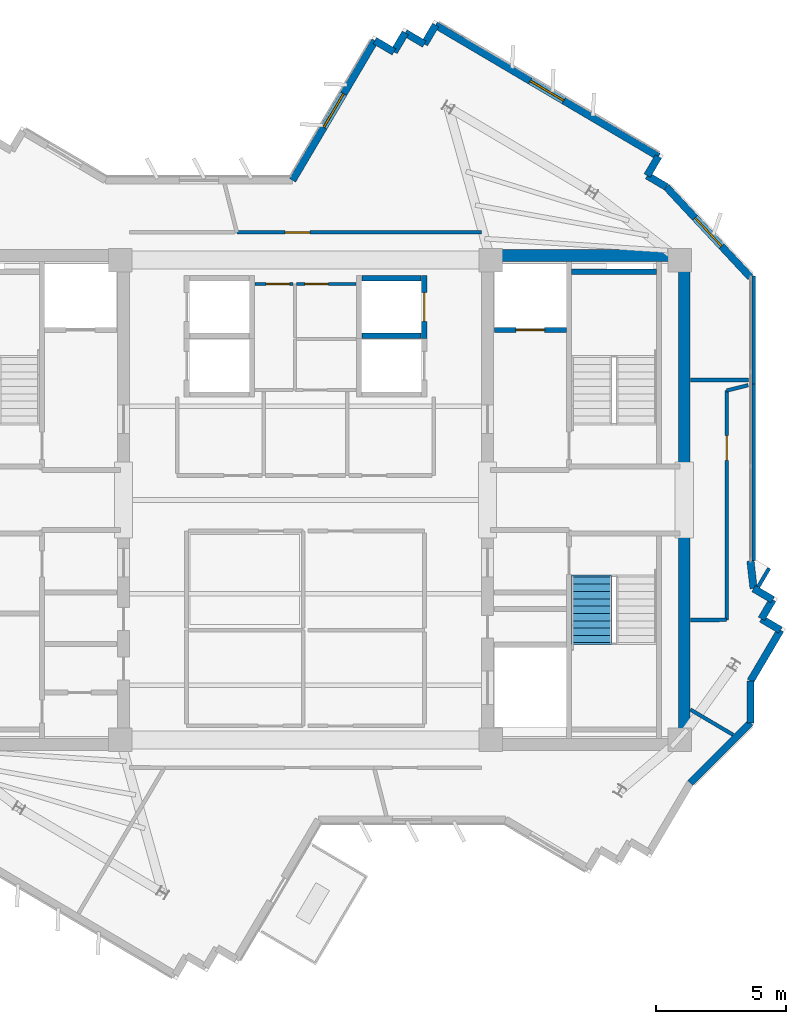
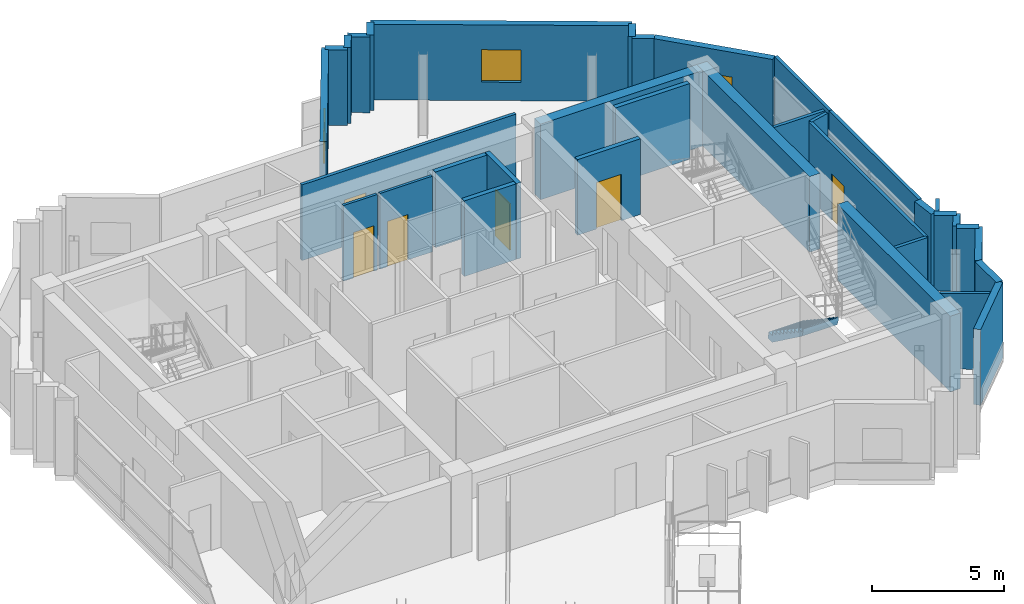
# One storey, part 7 of 10: 35 walls, 6 doors, 3 windows, 1 stair flight, 9 openings, 1 element without a shape of its own.
"""IFC4 building model written with IfcOpenShell, lengths in metres."""

from ifc_helpers import new_model, si_unit, direction, frame, frame_2d, origin, place, context, subcontext, project, spatial, polyline, rectangle, outline, extrude, source, transform, mapped, material, layer, layer_set, type_object, element, fill, aggregate, save


model = new_model("IFC4")

# Units and contexts
model_context = context("Model", 3, precision=1e-05, world=origin(), true_north=direction((0.0, 1.0)))
body_context = subcontext(model_context, "Body", "Model", "MODEL_VIEW")
ifc_project = project(units=[si_unit("LENGTHUNIT", "METRE"), si_unit("AREAUNIT", "SQUARE_METRE"), si_unit("VOLUMEUNIT", "CUBIC_METRE"), si_unit("PLANEANGLEUNIT", "RADIAN"), si_unit("MASSUNIT", "GRAM", prefix="KILO")], contexts=[model_context])

# Site, building, storey
site_placement = place(None, origin())
site = spatial("IfcSite", under=ifc_project, at=site_placement, CompositionType="ELEMENT")
building_placement = place(site_placement, origin())
building = spatial("IfcBuilding", under=site, at=building_placement, Name="Zahravan Cultural Tower", CompositionType="ELEMENT")
storey_placement = place(building_placement, frame((0.0, 0.0, 346.050048828125)))
storey = spatial("IfcBuildingStorey", under=building, at=storey_placement, Name="L84", CompositionType="ELEMENT", Elevation=346.050048828125)

# Wall, opening, window
ifc_material_1 = material(Name="Precast concrete C40/50", Category="concrete")
ifc_layer_1 = layer(ifc_material_1, 0.280029296875)
ifc_layer_set_1 = layer_set([ifc_layer_1], Name="Precast concrete C40/50")
wall_type_1 = type_object("IfcWallType", Name="EW-TC-280", PredefinedType="SOLIDWALL", material=ifc_layer_set_1)
wall_1_placement = place(storey_placement, frame((35.502685546875, 39.260009765625, 0.0), z_axis=(0.0, 0.0, 1.0), x_axis=(0.508266003384, 0.861200133421, 0.0)))
wall_1 = element("IfcWall", 1, at=wall_1_placement, inside=storey, type_object=wall_type_1, Name="L84 Exterior Masonry Frame Wall 01", PredefinedType="SOLIDWALL", context=body_context, shape_type="SweptSolid", body=[
    extrude(rectangle(XDim=6.214599609375, YDim=0.280029296875, at=frame_2d((3.107421875, 0.0))), origin(), (0.0, 0.0, 1.0), 3.5),
])
opening_1_placement = place(wall_1_placement, frame((2.35693359375, 0.0, 0.85009765625)))
opening_1 = element("IfcOpeningElement", 2, at=opening_1_placement, cuts=wall_1, Name="Opening WN-03", PredefinedType="OPENING", context=body_context, shape_type="SweptSolid", body=[
    extrude(rectangle(XDim=1.5, YDim=1.5, at=frame_2d((0.75, 0.75))), frame((0.0, 0.14990234375, 0.0), z_axis=(0.0, -1.0, 0.0), x_axis=(1.0, 0.0, 0.0)), (0.0, 0.0, 1.0), 0.300048828125),
])
ifc_material_2 = material(Name="Low-E solar-control double glazing", Category="glass")
window_type = type_object("IfcWindowType", Name="WN-REC-1500X1500", PartitioningType="SINGLE_PANEL", PredefinedType="WINDOW", material=ifc_material_2)
shared_shape_1 = source(origin(), body_context, "Body", "SweptSolid", [
    extrude(rectangle(XDim=1.5, YDim=1.5, at=frame_2d((0.75, 0.75))), frame((0.0, 0.030029296875, 0.0), z_axis=(0.0, -1.0, 0.0), x_axis=(1.0, 0.0, 0.0)), (0.0, 0.0, 1.0), 0.06005859375),
])
window_1_placement = place(opening_1_placement, origin())
window_1 = element("IfcWindow", 3, at=window_1_placement, inside=storey, type_object=window_type, Name="L84 Recessed Solar Window 01", OverallHeight=1.5, OverallWidth=1.5, PartitioningType="SINGLE_PANEL", PredefinedType="WINDOW", context=body_context, shape_type="MappedRepresentation", body=[
    mapped(shared_shape_1, transform((0.0, 0.0, 0.0), x_axis=(1.0, 0.0, 0.0), y_axis=(0.0, 1.0, 0.0), z_axis=(0.0, 0.0, 1.0), scale=1.0)),
])
fill(opening_1, window_1)

wall_2_placement = place(storey_placement, frame((40.989501953125, 45.2119140625, 0.0), z_axis=(0.0, 0.0, 1.0), x_axis=(0.861192451778, -0.508279018848, 0.0)))
wall_2 = element("IfcWall", 4, at=wall_2_placement, inside=storey, type_object=wall_type_1, Name="L84 Exterior Masonry Frame Wall 06", PredefinedType="SOLIDWALL", context=body_context, shape_type="SweptSolid", body=[
    extrude(rectangle(XDim=9.920166015625, YDim=0.280029296875, at=frame_2d((4.9599609375, 0.0))), origin(), (0.0, 0.0, 1.0), 3.5),
])
opening_2_placement = place(wall_2_placement, frame((4.2099609375, 0.0, 0.85009765625)))
opening_2 = element("IfcOpeningElement", 5, at=opening_2_placement, cuts=wall_2, Name="Opening WN-03", PredefinedType="OPENING", context=body_context, shape_type="SweptSolid", body=[
    extrude(rectangle(XDim=1.5, YDim=1.5, at=frame_2d((0.75, 0.75))), frame((0.0, 0.14990234375, 0.0), z_axis=(0.0, -1.0, 0.0), x_axis=(1.0, 0.0, 0.0)), (0.0, 0.0, 1.0), 0.300048828125),
])
window_2_placement = place(opening_2_placement, origin())
window_2 = element("IfcWindow", 6, at=window_2_placement, inside=storey, type_object=window_type, Name="L84 Recessed Solar Window 02", OverallHeight=1.5, OverallWidth=1.5, PartitioningType="SINGLE_PANEL", PredefinedType="WINDOW", context=body_context, shape_type="MappedRepresentation", body=[
    mapped(shared_shape_1, transform((0.0, 0.0, 0.0), x_axis=(1.0, 0.0, 0.0), y_axis=(0.0, 1.0, 0.0), z_axis=(0.0, 0.0, 1.0), scale=1.0)),
])
fill(opening_2, window_2)

wall_3_placement = place(storey_placement, frame((49.83251953125, 39.005615234375, 0.0), z_axis=(0.0, 0.0, 1.0), x_axis=(0.681733754317, -0.731600361006, 0.0)))
wall_3 = element("IfcWall", 7, at=wall_3_placement, inside=storey, type_object=wall_type_1, Name="L84 Exterior Masonry Frame Wall 09", PredefinedType="SOLIDWALL", context=body_context, shape_type="SweptSolid", body=[
    extrude(rectangle(XDim=4.734375, YDim=0.280029296875, at=frame_2d((2.3671875, 0.0))), origin(), (0.0, 0.0, 1.0), 3.5),
])
opening_3_placement = place(wall_3_placement, frame((1.616943359375, 0.0, 0.85009765625)))
opening_3 = element("IfcOpeningElement", 8, at=opening_3_placement, cuts=wall_3, Name="Opening WN-03", PredefinedType="OPENING", context=body_context, shape_type="SweptSolid", body=[
    extrude(rectangle(XDim=1.5, YDim=1.5, at=frame_2d((0.75, 0.75))), frame((0.0, 0.14990234375, 0.0), z_axis=(0.0, -1.0, 0.0), x_axis=(1.0, 0.0, 0.0)), (0.0, 0.0, 1.0), 0.300048828125),
])
window_3_placement = place(opening_3_placement, origin())
window_3 = element("IfcWindow", 9, at=window_3_placement, inside=storey, type_object=window_type, Name="L84 Recessed Solar Window 03", OverallHeight=1.5, OverallWidth=1.5, PartitioningType="SINGLE_PANEL", PredefinedType="WINDOW", context=body_context, shape_type="MappedRepresentation", body=[
    mapped(shared_shape_1, transform((0.0, 0.0, 0.0), x_axis=(1.0, 0.0, 0.0), y_axis=(0.0, 1.0, 0.0), z_axis=(0.0, 0.0, 1.0), scale=1.0)),
])
fill(opening_3, window_3)

# Wall, opening, door
ifc_material_3 = material(Name="Gypsum plasterboard partition")
ifc_layer_2 = layer(ifc_material_3, 0.139892578125)
ifc_layer_set_2 = layer_set([ifc_layer_2], Name="Gypsum plasterboard partition")
wall_type_2 = type_object("IfcWallType", Name="W-PART-140", PredefinedType="PARTITIONING", material=ifc_layer_set_2)
wall_4_placement = place(storey_placement, frame((52.1474609375, 22.40234375, 0.0), z_axis=(0.0, 0.0, 1.0), x_axis=(0.000277685205, 0.999999961445, 0.0)))
wall_4 = element("IfcWall", 10, at=wall_4_placement, inside=storey, type_object=wall_type_2, Name="L84 Interior Wall 071", PredefinedType="PARTITIONING", context=body_context, shape_type="SweptSolid", body=[
    extrude(rectangle(XDim=8.7919921875, YDim=0.139892578125, at=frame_2d((4.39599609375, 0.0))), origin(), (0.0, 0.0, 1.0), 3.5),
])
opening_4_placement = place(wall_4_placement, frame((6.11669921875, 0.0, 0.0)))
opening_4 = element("IfcOpeningElement", 11, at=opening_4_placement, cuts=wall_4, Name="Opening D-L84-28", PredefinedType="OPENING", context=body_context, shape_type="SweptSolid", body=[
    extrude(rectangle(XDim=0.949951171875, YDim=2.14990234375, at=frame_2d((0.47509765625, 1.074951171875))), frame((0.0, 0.079833984375, 0.0), z_axis=(0.0, -1.0, 0.0), x_axis=(1.0, 0.0, 0.0)), (0.0, 0.0, 1.0), 0.159912109375),
])
ifc_material_4 = material(Name="Anodised bronze-aluminium mullion", Category="aluminium")
door_type_1 = type_object("IfcDoorType", Name="DR-ROOM-950", OperationType="NOTDEFINED", PredefinedType="DOOR", material=ifc_material_4)
shared_shape_2 = source(origin(), body_context, "Body", "SweptSolid", [
    extrude(rectangle(XDim=0.949951171875, YDim=2.14990234375, at=frame_2d((0.47509765625, 1.074951171875))), frame((0.0, 0.02490234375, 0.0), z_axis=(0.0, -1.0, 0.0), x_axis=(1.0, 0.0, 0.0)), (0.0, 0.0, 1.0), 0.050048828125),
])
door_1_placement = place(opening_4_placement, origin())
door_1 = element("IfcDoor", 12, at=door_1_placement, inside=storey, type_object=door_type_1, Name="L84 Door D-L84-28", OperationType="SINGLE_SWING_RIGHT", OverallHeight=2.14990234375, OverallWidth=0.949951171875, PredefinedType="DOOR", context=body_context, shape_type="MappedRepresentation", body=[
    mapped(shared_shape_2, transform((0.0, 0.0, 0.0), x_axis=(1.0, 0.0, 0.0), y_axis=(0.0, 1.0, 0.0), z_axis=(0.0, 0.0, 1.0), scale=1.0)),
])
fill(opening_4, door_1)

wall_5_placement = place(storey_placement, frame((42.742431640625, 37.259765625, 0.0), z_axis=(0.0, 0.0, 1.0), x_axis=(-0.999999999661, 2.6043023e-05, 0.0)))
wall_5 = element("IfcWall", 13, at=wall_5_placement, inside=storey, type_object=wall_type_2, Name="L84 Interior Wall 089", PredefinedType="PARTITIONING", context=body_context, shape_type="SweptSolid", body=[
    extrude(rectangle(XDim=9.37451171875, YDim=0.139892578125, at=frame_2d((4.687255859375, 0.0))), origin(), (0.0, 0.0, 1.0), 3.5),
])
opening_5_placement = place(wall_5_placement, frame((6.571044921875, 0.0, 0.0)))
opening_5 = element("IfcOpeningElement", 14, at=opening_5_placement, cuts=wall_5, Name="Opening D-L84-23", PredefinedType="OPENING", context=body_context, shape_type="SweptSolid", body=[
    extrude(rectangle(XDim=0.949951171875, YDim=2.14990234375, at=frame_2d((0.47509765625, 1.074951171875))), frame((0.0, 0.079833984375, 0.0), z_axis=(0.0, -1.0, 0.0), x_axis=(1.0, 0.0, 0.0)), (0.0, 0.0, 1.0), 0.159912109375),
])
door_2_placement = place(opening_5_placement, origin())
door_2 = element("IfcDoor", 15, at=door_2_placement, inside=storey, type_object=door_type_1, Name="L84 Door D-L84-23", OperationType="SINGLE_SWING_LEFT", OverallHeight=2.14990234375, OverallWidth=0.949951171875, PredefinedType="DOOR", context=body_context, shape_type="MappedRepresentation", body=[
    mapped(shared_shape_2, transform((0.0, 0.0, 0.0), x_axis=(1.0, 0.0, 0.0), y_axis=(0.0, 1.0, 0.0), z_axis=(0.0, 0.0, 1.0), scale=1.0)),
])
fill(opening_5, door_2)

ifc_material_5 = material(Name="Concrete C45/55", Category="concrete")
ifc_layer_3 = layer(ifc_material_5, 0.199951171875)
ifc_layer_set_3 = layer_set([ifc_layer_3], Name="Concrete C45/55")
wall_type_3 = type_object("IfcWallType", Name="W-SHAFT-200", PredefinedType="SOLIDWALL", material=ifc_layer_set_3)
wall_6_placement = place(storey_placement, frame((43.25, 33.52001953125, 0.0), z_axis=(0.0, 0.0, 1.0), x_axis=(1.0, 0.0, 0.0)))
wall_6 = element("IfcWall", 16, at=wall_6_placement, inside=storey, type_object=wall_type_3, Name="L84 Interior Wall 023", PredefinedType="SOLIDWALL", context=body_context, shape_type="SweptSolid", body=[
    extrude(rectangle(XDim=2.75, YDim=0.199951171875, at=frame_2d((1.375, 0.0))), origin(), (0.0, 0.0, 1.0), 3.5),
])
opening_6_placement = place(wall_6_placement, frame((0.820068359375, 0.0, 0.0)))
opening_6 = element("IfcOpeningElement", 17, at=opening_6_placement, cuts=wall_6, Name="Opening LD-L84-02", PredefinedType="OPENING", context=body_context, shape_type="SweptSolid", body=[
    extrude(rectangle(XDim=1.10009765625, YDim=2.14990234375, at=frame_2d((0.550048828125, 1.074951171875))), frame((0.0, 0.10986328125, 0.0), z_axis=(0.0, -1.0, 0.0), x_axis=(1.0, 0.0, 0.0)), (0.0, 0.0, 1.0), 0.219970703125),
])
ifc_material_6 = material(Name="Steel ASTM A572 Grade 50", Category="steel")
door_type_2 = type_object("IfcDoorType", Name="DR-LIFT-1100", OperationType="DOUBLE_DOOR_SLIDING", PredefinedType="DOOR", material=ifc_material_6)
shared_shape_3 = source(origin(), body_context, "Body", "SweptSolid", [
    extrude(rectangle(XDim=1.10009765625, YDim=2.14990234375, at=frame_2d((0.550048828125, 1.074951171875))), frame((0.0, 0.02490234375, 0.0), z_axis=(0.0, -1.0, 0.0), x_axis=(1.0, 0.0, 0.0)), (0.0, 0.0, 1.0), 0.050048828125),
])
door_3_placement = place(opening_6_placement, origin())
door_3 = element("IfcDoor", 18, at=door_3_placement, inside=storey, type_object=door_type_2, Name="L84 Door LD-L84-02", OperationType="DOUBLE_DOOR_SLIDING", OverallHeight=2.14990234375, OverallWidth=1.10009765625, PredefinedType="DOOR", context=body_context, shape_type="MappedRepresentation", body=[
    mapped(shared_shape_3, transform((0.0, 0.0, 0.0), x_axis=(1.0, 0.0, 0.0), y_axis=(0.0, 1.0, 0.0), z_axis=(0.0, 0.0, 1.0), scale=1.0)),
])
fill(opening_6, door_3)

wall_7_placement = place(storey_placement, frame((40.550048828125, 33.199951171875, 0.0), z_axis=(0.0, 0.0, 1.0), x_axis=(0.0, 1.0, 0.0)))
wall_7 = element("IfcWall", 19, at=wall_7_placement, inside=storey, type_object=wall_type_3, Name="L84 Interior Wall 038", PredefinedType="SOLIDWALL", context=body_context, shape_type="SweptSolid", body=[
    extrude(rectangle(XDim=2.400146484375, YDim=0.199951171875, at=frame_2d((1.2001953125, 0.0))), origin(), (0.0, 0.0, 1.0), 3.5),
])
opening_7_placement = place(wall_7_placement, frame((0.64990234375, 0.0, 0.0)))
opening_7 = element("IfcOpeningElement", 20, at=opening_7_placement, cuts=wall_7, Name="Opening LD-L84-06", PredefinedType="OPENING", context=body_context, shape_type="SweptSolid", body=[
    extrude(rectangle(XDim=1.10009765625, YDim=2.14990234375, at=frame_2d((0.550048828125, 1.074951171875))), frame((0.0, 0.10986328125, 0.0), z_axis=(0.0, -1.0, 0.0), x_axis=(1.0, 0.0, 0.0)), (0.0, 0.0, 1.0), 0.219970703125),
])
door_4_placement = place(opening_7_placement, origin())
door_4 = element("IfcDoor", 21, at=door_4_placement, inside=storey, type_object=door_type_2, Name="L84 Door LD-L84-06", OperationType="DOUBLE_DOOR_SLIDING", OverallHeight=2.14990234375, OverallWidth=1.10009765625, PredefinedType="DOOR", context=body_context, shape_type="MappedRepresentation", body=[
    mapped(shared_shape_3, transform((0.0, 0.0, 0.0), x_axis=(1.0, 0.0, 0.0), y_axis=(0.0, 1.0, 0.0), z_axis=(0.0, 0.0, 1.0), scale=1.0)),
])
fill(opening_7, door_4)

ifc_layer_4 = layer(ifc_material_3, 0.114990234375)
ifc_layer_set_4 = layer_set([ifc_layer_4], Name="Gypsum plasterboard partition")
wall_type_4 = type_object("IfcWallType", Name="W-WC-115", PredefinedType="PARTITIONING", material=ifc_layer_set_4)
wall_8_placement = place(storey_placement, frame((35.652587890625, 35.280029296875, 0.0), z_axis=(0.0, 0.0, 1.0), x_axis=(1.0, 0.0, 0.0)))
wall_8 = element("IfcWall", 22, at=wall_8_placement, inside=storey, type_object=wall_type_4, Name="L84 Interior Wall 048", PredefinedType="PARTITIONING", context=body_context, shape_type="SweptSolid", body=[
    extrude(rectangle(XDim=2.29248046875, YDim=0.114990234375, at=frame_2d((1.146240234375, 0.0))), origin(), (0.0, 0.0, 1.0), 3.5),
])
opening_8_placement = place(wall_8_placement, frame((0.3203125, 0.0, 0.0)))
opening_8 = element("IfcOpeningElement", 23, at=opening_8_placement, cuts=wall_8, Name="Opening D-L84-19", PredefinedType="OPENING", context=body_context, shape_type="SweptSolid", body=[
    extrude(rectangle(XDim=0.89990234375, YDim=2.10009765625, at=frame_2d((0.449951171875, 1.050048828125))), frame((0.0, 0.0673828125, 0.0), z_axis=(0.0, -1.0, 0.0), x_axis=(1.0, 0.0, 0.0)), (0.0, 0.0, 1.0), 0.135009765625),
])
door_type_3 = type_object("IfcDoorType", Name="DR-WC-900", OperationType="NOTDEFINED", PredefinedType="DOOR", material=ifc_material_4)
shared_shape_4 = source(origin(), body_context, "Body", "SweptSolid", [
    extrude(rectangle(XDim=0.89990234375, YDim=2.10009765625, at=frame_2d((0.449951171875, 1.050048828125))), frame((0.0, 0.02490234375, 0.0), z_axis=(0.0, -1.0, 0.0), x_axis=(1.0, 0.0, 0.0)), (0.0, 0.0, 1.0), 0.050048828125),
])
door_5_placement = place(opening_8_placement, origin())
door_5 = element("IfcDoor", 24, at=door_5_placement, inside=storey, type_object=door_type_3, Name="L84 Door D-L84-19", OperationType="SINGLE_SWING_LEFT", OverallHeight=2.10009765625, OverallWidth=0.89990234375, PredefinedType="DOOR", context=body_context, shape_type="MappedRepresentation", body=[
    mapped(shared_shape_4, transform((0.0, 0.0, 0.0), x_axis=(1.0, 0.0, 0.0), y_axis=(0.0, 1.0, 0.0), z_axis=(0.0, 0.0, 1.0), scale=1.0)),
])
fill(opening_8, door_5)

wall_9_placement = place(storey_placement, frame((34.054931640625, 35.280029296875, 0.0), z_axis=(0.0, 0.0, 1.0), x_axis=(1.0, 0.0, 0.0)))
wall_9 = element("IfcWall", 25, at=wall_9_placement, inside=storey, type_object=wall_type_4, Name="L84 Interior Wall 050", PredefinedType="PARTITIONING", context=body_context, shape_type="SweptSolid", body=[
    extrude(rectangle(XDim=1.47265625, YDim=0.114990234375, at=frame_2d((0.736328125, 0.0))), origin(), (0.0, 0.0, 1.0), 3.5),
])
opening_9_placement = place(wall_9_placement, frame((0.4326171875, 0.0, 0.0)))
opening_9 = element("IfcOpeningElement", 26, at=opening_9_placement, cuts=wall_9, Name="Opening D-L84-18", PredefinedType="OPENING", context=body_context, shape_type="SweptSolid", body=[
    extrude(rectangle(XDim=0.89990234375, YDim=2.10009765625, at=frame_2d((0.449951171875, 1.050048828125))), frame((0.0, 0.0673828125, 0.0), z_axis=(0.0, -1.0, 0.0), x_axis=(1.0, 0.0, 0.0)), (0.0, 0.0, 1.0), 0.135009765625),
])
door_6_placement = place(opening_9_placement, origin())
door_6 = element("IfcDoor", 27, at=door_6_placement, inside=storey, type_object=door_type_3, Name="L84 Door D-L84-18", OperationType="SINGLE_SWING_RIGHT", OverallHeight=2.10009765625, OverallWidth=0.89990234375, PredefinedType="DOOR", context=body_context, shape_type="MappedRepresentation", body=[
    mapped(shared_shape_4, transform((0.0, 0.0, 0.0), x_axis=(1.0, 0.0, 0.0), y_axis=(0.0, 1.0, 0.0), z_axis=(0.0, 0.0, 1.0), scale=1.0)),
])
fill(opening_9, door_6)

# Walls
ifc_material_7 = material(Name="Concrete C50/60", Category="concrete")
ifc_layer_5 = layer(ifc_material_7, 0.449951171875)
ifc_layer_set_5 = layer_set([ifc_layer_5], Name="Concrete C50/60")
wall_type_5 = type_object("IfcWallType", Name="CW-SHEAR-450-C50", PredefinedType="SHEAR", material=ifc_layer_set_5)
shared_shape_5 = source(origin(), body_context, "Body", "SweptSolid", [
    extrude(rectangle(XDim=8.550048828125, YDim=0.449951171875, at=frame_2d((4.27490234375, 0.0))), origin(), (0.0, 0.0, 1.0), 3.5),
])
for number, where, z_axis, x_axis, name in (
    (28, (50.52490234375, 17.39990234375, 0.0), (0.0, 0.0, 1.0), (0.0, 1.0, 0.0), "L84 Core Shear Wall CW-E-ES-L84"),
    (29, (50.52490234375, 28.050048828125, 0.0), (0.0, 0.0, 1.0), (0.0, 1.0, 0.0), "L84 Core Shear Wall CW-E-EN-L84"),
):
    element("IfcWall", number, at=place(storey_placement, frame(where, z_axis=z_axis, x_axis=x_axis)), inside=storey, type_object=wall_type_5, Name=name, PredefinedType="SHEAR", context=body_context, shape_type="MappedRepresentation", body=[
        mapped(shared_shape_5, transform((0.0, 0.0, 0.0), x_axis=(1.0, 0.0, 0.0), y_axis=(0.0, 1.0, 0.0), z_axis=(0.0, 0.0, 1.0), scale=1.0)),
    ])
shared_shape_6 = source(origin(), body_context, "Body", "SweptSolid", [
    extrude(rectangle(XDim=7.10009765625, YDim=0.449951171875, at=frame_2d((3.550048828125, 0.0))), origin(), (0.0, 0.0, 1.0), 3.5),
])
wall_10_placement = place(storey_placement, frame((43.199951171875, 36.375, 0.0), z_axis=(0.0, 0.0, 1.0), x_axis=(1.0, 0.0, 0.0)))
element("IfcWall", 30, at=wall_10_placement, inside=storey, type_object=wall_type_5, Name="L84 Core Shear Wall CW-E-N-L84", PredefinedType="SHEAR", context=body_context, shape_type="MappedRepresentation", body=[
    mapped(shared_shape_6, transform((0.0, 0.0, 0.0), x_axis=(1.0, 0.0, 0.0), y_axis=(0.0, 1.0, 0.0), z_axis=(0.0, 0.0, 1.0), scale=1.0)),
])
shared_shape_7 = source(origin(), body_context, "Body", "SweptSolid", [
    extrude(rectangle(XDim=0.85009765625, YDim=0.280029296875, at=frame_2d((0.425048828125, 0.0))), origin(), (0.0, 0.0, 1.0), 3.5),
])
for number, where, z_axis, x_axis, name in (
    (31, (38.661376953125, 44.612060546875, 0.0), (0.0, 0.0, 1.0), (0.861195099131, -0.508274533332, 0.0), "L84 Exterior Masonry Frame Wall 02"),
    (32, (39.3935546875, 44.179931640625, 0.0), (0.0, 0.0, 1.0), (0.508061511919, 0.861320788154, 0.0), "L84 Exterior Masonry Frame Wall 03"),
    (33, (39.825439453125, 44.912109375, 0.0), (0.0, 0.0, 1.0), (0.861195099131, -0.508274533332, 0.0), "L84 Exterior Masonry Frame Wall 04"),
    (34, (49.53271484375, 40.169677734375, 0.0), (0.0, 0.0, 1.0), (-0.508400256027, -0.861120885632, 0.0), "L84 Exterior Masonry Frame Wall 07"),
    (35, (49.1005859375, 39.437744140625, 0.0), (0.0, 0.0, 1.0), (0.861120885632, -0.508400256027, 0.0), "L84 Exterior Masonry Frame Wall 08"),
    (36, (53.179931640625, 23.6064453125, 0.0), (0.0, 0.0, 1.0), (0.861320788154, -0.508061511919, 0.0), "L84 Exterior Masonry Frame Wall 11"),
    (37, (53.912109375, 23.174560546875, 0.0), (0.0, 0.0, 1.0), (-0.508274533332, -0.861195099131, 0.0), "L84 Exterior Masonry Frame Wall 12"),
):
    element("IfcWall", number, at=place(storey_placement, frame(where, z_axis=z_axis, x_axis=x_axis)), inside=storey, type_object=wall_type_1, Name=name, PredefinedType="SOLIDWALL", context=body_context, shape_type="MappedRepresentation", body=[
        mapped(shared_shape_7, transform((0.0, 0.0, 0.0), x_axis=(1.0, 0.0, 0.0), y_axis=(0.0, 1.0, 0.0), z_axis=(0.0, 0.0, 1.0), scale=1.0)),
    ])
shared_shape_8 = source(origin(), body_context, "Body", "SweptSolid", [
    extrude(rectangle(XDim=0.849853515625, YDim=0.280029296875, at=frame_2d((0.4248046875, 0.0))), origin(), (0.0, 0.0, 1.0), 3.5),
])
for number, where, z_axis, x_axis, name in (
    (38, (40.5576171875, 44.47998046875, 0.0), (0.0, 0.0, 1.0), (0.508187218622, 0.861246626019, 0.0), "L84 Exterior Masonry Frame Wall 05"),
    (39, (53.47998046875, 22.4423828125, 0.0), (0.0, 0.0, 1.0), (0.861246626019, -0.508187218622, 0.0), "L84 Exterior Masonry Frame Wall 13"),
):
    element("IfcWall", number, at=place(storey_placement, frame(where, z_axis=z_axis, x_axis=x_axis)), inside=storey, type_object=wall_type_1, Name=name, PredefinedType="SOLIDWALL", context=body_context, shape_type="MappedRepresentation", body=[
        mapped(shared_shape_8, transform((0.0, 0.0, 0.0), x_axis=(1.0, 0.0, 0.0), y_axis=(0.0, 1.0, 0.0), z_axis=(0.0, 0.0, 1.0), scale=1.0)),
    ])
shared_shape_9 = source(origin(), body_context, "Body", "SweptSolid", [
    extrude(rectangle(XDim=1.064697265625, YDim=0.280029296875, at=frame_2d((0.5322265625, 0.0))), origin(), (0.0, 0.0, 1.0), 3.5),
])
wall_11_placement = place(storey_placement, frame((53.06005859375, 24.664306640625, 0.0), z_axis=(0.0, 0.0, 1.0), x_axis=(0.112595815397, -0.993640871923, 0.0)))
element("IfcWall", 40, at=wall_11_placement, inside=storey, type_object=wall_type_1, Name="L84 Exterior Masonry Frame Wall 10", PredefinedType="SOLIDWALL", context=body_context, shape_type="MappedRepresentation", body=[
    mapped(shared_shape_9, transform((0.0, 0.0, 0.0), x_axis=(1.0, 0.0, 0.0), y_axis=(0.0, 1.0, 0.0), z_axis=(0.0, 0.0, 1.0), scale=1.0)),
])
shared_shape_10 = source(origin(), body_context, "Body", "SweptSolid", [
    extrude(rectangle(XDim=2.266357421875, YDim=0.280029296875, at=frame_2d((1.13330078125, 0.0))), origin(), (0.0, 0.0, 1.0), 3.5),
])
wall_12_placement = place(storey_placement, frame((54.2119140625, 22.010498046875, 0.0), z_axis=(0.0, 0.0, 1.0), x_axis=(-0.508224770074, -0.861224467304, 0.0)))
element("IfcWall", 41, at=wall_12_placement, inside=storey, type_object=wall_type_1, Name="L84 Exterior Masonry Frame Wall 14", PredefinedType="SOLIDWALL", context=body_context, shape_type="MappedRepresentation", body=[
    mapped(shared_shape_10, transform((0.0, 0.0, 0.0), x_axis=(1.0, 0.0, 0.0), y_axis=(0.0, 1.0, 0.0), z_axis=(0.0, 0.0, 1.0), scale=1.0)),
])
shared_shape_11 = source(origin(), body_context, "Body", "SweptSolid", [
    extrude(rectangle(XDim=1.6005859375, YDim=0.280029296875, at=frame_2d((0.80029296875, 0.0))), origin(), (0.0, 0.0, 1.0), 3.5),
])
wall_13_placement = place(storey_placement, frame((53.06005859375, 20.05859375, 0.0), z_axis=(0.0, 0.0, 1.0), x_axis=(0.0, -1.0, 0.0)))
element("IfcWall", 42, at=wall_13_placement, inside=storey, type_object=wall_type_1, Name="L84 Exterior Masonry Frame Wall 15", PredefinedType="SOLIDWALL", context=body_context, shape_type="MappedRepresentation", body=[
    mapped(shared_shape_11, transform((0.0, 0.0, 0.0), x_axis=(1.0, 0.0, 0.0), y_axis=(0.0, 1.0, 0.0), z_axis=(0.0, 0.0, 1.0), scale=1.0)),
])
shared_shape_12 = source(origin(), body_context, "Body", "SweptSolid", [
    extrude(rectangle(XDim=3.2607421875, YDim=0.280029296875, at=frame_2d((1.63037109375, 0.0))), origin(), (0.0, 0.0, 1.0), 3.5),
])
wall_14_placement = place(storey_placement, frame((53.06005859375, 18.4580078125, 0.0), z_axis=(0.0, 0.0, 1.0), x_axis=(-0.707106781187, -0.707106781187, 0.0)))
element("IfcWall", 43, at=wall_14_placement, inside=storey, type_object=wall_type_1, Name="L84 Exterior Masonry Frame Wall 16", PredefinedType="SOLIDWALL", context=body_context, shape_type="MappedRepresentation", body=[
    mapped(shared_shape_12, transform((0.0, 0.0, 0.0), x_axis=(1.0, 0.0, 0.0), y_axis=(0.0, 1.0, 0.0), z_axis=(0.0, 0.0, 1.0), scale=1.0)),
])
shared_shape_13 = source(origin(), body_context, "Body", "SweptSolid", [
    extrude(rectangle(XDim=3.25, YDim=0.199951171875, at=frame_2d((1.625, 0.0))), origin(), (0.0, 0.0, 1.0), 3.5),
])
wall_15_placement = place(storey_placement, frame((46.199951171875, 35.75, 0.0), z_axis=(0.0, 0.0, 1.0), x_axis=(1.0, 0.0, 0.0)))
element("IfcWall", 44, at=wall_15_placement, inside=storey, type_object=wall_type_3, Name="L84 Interior Wall 018", PredefinedType="SOLIDWALL", context=body_context, shape_type="MappedRepresentation", body=[
    mapped(shared_shape_13, transform((0.0, 0.0, 0.0), x_axis=(1.0, 0.0, 0.0), y_axis=(0.0, 1.0, 0.0), z_axis=(0.0, 0.0, 1.0), scale=1.0)),
])
shared_shape_14 = source(origin(), body_context, "Body", "SweptSolid", [
    extrude(rectangle(XDim=2.260009765625, YDim=0.199951171875, at=frame_2d((1.1298828125, 0.0))), origin(), (0.0, 0.0, 1.0), 3.5),
])
for number, where, z_axis, x_axis, name in (
    (45, (38.169921875, 33.300048828125, 0.0), (0.0, 0.0, 1.0), (1.0, 0.0, 0.0), "L84 Interior Wall 039"),
    (46, (38.169921875, 35.5, 0.0), (0.0, 0.0, 1.0), (1.0, 0.0, 0.0), "L84 Interior Wall 040"),
):
    element("IfcWall", number, at=place(storey_placement, frame(where, z_axis=z_axis, x_axis=x_axis)), inside=storey, type_object=wall_type_3, Name=name, PredefinedType="SOLIDWALL", context=body_context, shape_type="MappedRepresentation", body=[
        mapped(shared_shape_14, transform((0.0, 0.0, 0.0), x_axis=(1.0, 0.0, 0.0), y_axis=(0.0, 1.0, 0.0), z_axis=(0.0, 0.0, 1.0), scale=1.0)),
    ])
shared_shape_15 = source(origin(), body_context, "Body", "SweptSolid", [
    extrude(rectangle(XDim=2.22265625, YDim=0.139892578125, at=frame_2d((1.111328125, 0.0))), origin(), (0.0, 0.0, 1.0), 3.5),
])
wall_16_placement = place(storey_placement, frame((52.9775390625, 31.598388671875, 0.0), z_axis=(0.0, 0.0, 1.0), x_axis=(-0.999999704402, 0.000768892567, 0.0)))
element("IfcWall", 47, at=wall_16_placement, inside=storey, type_object=wall_type_2, Name="L84 Interior Wall 088", PredefinedType="PARTITIONING", context=body_context, shape_type="MappedRepresentation", body=[
    mapped(shared_shape_15, transform((0.0, 0.0, 0.0), x_axis=(1.0, 0.0, 0.0), y_axis=(0.0, 1.0, 0.0), z_axis=(0.0, 0.0, 1.0), scale=1.0)),
])
shared_shape_16 = source(origin(), body_context, "Body", "SweptSolid", [
    extrude(rectangle(XDim=1.392578125, YDim=0.139892578125, at=frame_2d((0.6962890625, 0.0))), origin(), (0.0, 0.0, 1.0), 3.5),
])
wall_17_placement = place(storey_placement, frame((50.7548828125, 22.400146484375, 0.0), z_axis=(0.0, 0.0, 1.0), x_axis=(0.999998755213, 0.001577838148, 0.0)))
element("IfcWall", 48, at=wall_17_placement, inside=storey, type_object=wall_type_2, Name="L84 Interior Wall 070", PredefinedType="PARTITIONING", context=body_context, shape_type="MappedRepresentation", body=[
    mapped(shared_shape_16, transform((0.0, 0.0, 0.0), x_axis=(1.0, 0.0, 0.0), y_axis=(0.0, 1.0, 0.0), z_axis=(0.0, 0.0, 1.0), scale=1.0)),
])
shared_shape_17 = source(origin(), body_context, "Body", "SweptSolid", [
    extrude(rectangle(XDim=0.847900390625, YDim=0.139892578125, at=frame_2d((0.423828125, 0.0))), origin(), (0.0, 0.0, 1.0), 3.5),
])
wall_18_placement = place(storey_placement, frame((52.14990234375, 31.1943359375, 0.0), z_axis=(0.0, 0.0, 1.0), x_axis=(0.969955921728, 0.243280722428, 0.0)))
element("IfcWall", 49, at=wall_18_placement, inside=storey, type_object=wall_type_2, Name="L84 Interior Wall 072", PredefinedType="PARTITIONING", context=body_context, shape_type="MappedRepresentation", body=[
    mapped(shared_shape_17, transform((0.0, 0.0, 0.0), x_axis=(1.0, 0.0, 0.0), y_axis=(0.0, 1.0, 0.0), z_axis=(0.0, 0.0, 1.0), scale=1.0)),
])
shared_shape_18 = source(origin(), body_context, "Body", "SweptSolid", [
    extrude(rectangle(XDim=6.779541015625, YDim=0.139892578125, at=frame_2d((3.3896484375, 0.0))), origin(), (0.0, 0.0, 1.0), 3.5),
])
wall_19_placement = place(storey_placement, frame((53.179931640625, 31.45263671875, 0.0), z_axis=(0.0, 0.0, 1.0), x_axis=(7.2022759e-05, -0.999999997406, 0.0)))
element("IfcWall", 50, at=wall_19_placement, inside=storey, type_object=wall_type_2, Name="L84 Interior Wall 073", PredefinedType="PARTITIONING", context=body_context, shape_type="MappedRepresentation", body=[
    mapped(shared_shape_18, transform((0.0, 0.0, 0.0), x_axis=(1.0, 0.0, 0.0), y_axis=(0.0, 1.0, 0.0), z_axis=(0.0, 0.0, 1.0), scale=1.0)),
])
shared_shape_19 = source(origin(), body_context, "Body", "SweptSolid", [
    extrude(rectangle(XDim=0.824951171875, YDim=0.139892578125, at=frame_2d((0.41259765625, 0.0))), origin(), (0.0, 0.0, 1.0), 3.5),
])
wall_20_placement = place(storey_placement, frame((53.776123046875, 24.381103515625, 0.0), z_axis=(0.0, 0.0, 1.0), x_axis=(-0.507472658058, -0.861667860213, 0.0)))
element("IfcWall", 51, at=wall_20_placement, inside=storey, type_object=wall_type_2, Name="L84 Interior Wall 074", PredefinedType="PARTITIONING", context=body_context, shape_type="MappedRepresentation", body=[
    mapped(shared_shape_19, transform((0.0, 0.0, 0.0), x_axis=(1.0, 0.0, 0.0), y_axis=(0.0, 1.0, 0.0), z_axis=(0.0, 0.0, 1.0), scale=1.0)),
])
shared_shape_20 = source(origin(), body_context, "Body", "SweptSolid", [
    extrude(rectangle(XDim=1.903564453125, YDim=0.139892578125, at=frame_2d((0.95166015625, 0.0))), origin(), (0.0, 0.0, 1.0), 3.5),
])
wall_21_placement = place(storey_placement, frame((52.394287109375, 17.997314453125, 0.0), z_axis=(0.0, 0.0, 1.0), x_axis=(-0.86120470185, 0.508258262611, 0.0)))
element("IfcWall", 52, at=wall_21_placement, inside=storey, type_object=wall_type_2, Name="L84 Interior Wall 075", PredefinedType="PARTITIONING", context=body_context, shape_type="MappedRepresentation", body=[
    mapped(shared_shape_20, transform((0.0, 0.0, 0.0), x_axis=(1.0, 0.0, 0.0), y_axis=(0.0, 1.0, 0.0), z_axis=(0.0, 0.0, 1.0), scale=1.0)),
])
shared_shape_21 = source(origin(), body_context, "Body", "SweptSolid", [
    extrude(rectangle(XDim=4.13916015625, YDim=0.139892578125, at=frame_2d((2.069580078125, 0.0))), origin(), (0.0, 0.0, 1.0), 3.5),
])
wall_22_placement = place(storey_placement, frame((53.179931640625, 35.591796875, 0.0), z_axis=(0.0, 0.0, 1.0), x_axis=(0.0, -1.0, 0.0)))
element("IfcWall", 53, at=wall_22_placement, inside=storey, type_object=wall_type_2, Name="L84 Interior Wall 090", PredefinedType="PARTITIONING", context=body_context, shape_type="MappedRepresentation", body=[
    mapped(shared_shape_21, transform((0.0, 0.0, 0.0), x_axis=(1.0, 0.0, 0.0), y_axis=(0.0, 1.0, 0.0), z_axis=(0.0, 0.0, 1.0), scale=1.0)),
])

# Stair, stair flight
stair_type = type_object("IfcStairType", Name="STR-DL-1550-375", PredefinedType="HALF_TURN_STAIR", material=ifc_material_5)
stair_placement = place(storey_placement, origin())
stair = element("IfcStair", 54, at=stair_placement, inside=storey, type_object=stair_type, Name="L84 East Core South Exit Stair ST-E2", PredefinedType="HALF_TURN_STAIR")
stair_flight_type = type_object("IfcStairFlightType", Name="FLG-DL-1550-375", PredefinedType="STRAIGHT", material=ifc_material_5)
stair_flight_placement = place(storey_placement, frame((46.97509765625, 24.050048828125, 0.0), z_axis=(0.0, 0.0, 1.0), x_axis=(0.0, -1.0, 0.0)))
stair_flight = element("IfcStairFlight", 55, at=stair_flight_placement, type_object=stair_flight_type, Name="ST-E2 flight 1", NumberOfRisers=10, NumberOfTreads=9, PredefinedType="STRAIGHT", RiserHeight=0.1875, TreadLength=0.28, context=body_context, shape_type="SweptSolid", body=[
    extrude(outline(polyline([(-0.06494140625, -0.139892578125), (-0.06494140625, 0.0), (0.0, 0.0), (0.0, 0.1875), (0.280029296875, 0.1875), (0.280029296875, 0.375), (0.56005859375, 0.375), (0.56005859375, 0.5625), (0.840087890625, 0.5625), (0.840087890625, 0.75), (1.1201171875, 0.75), (1.1201171875, 0.9375), (1.39990234375, 0.9375), (1.39990234375, 1.125), (1.679931640625, 1.125), (1.679931640625, 1.3125), (1.9599609375, 1.3125), (1.9599609375, 1.5), (2.239990234375, 1.5), (2.239990234375, 1.6875), (2.52001953125, 1.6875), (2.52001953125, 1.875), (2.5849609375, 1.875), (2.5849609375, 1.72509765625), (2.52001953125, 1.507080078125), (0.26953125, -0.139892578125), (-0.06494140625, -0.139892578125)])), frame((0.0, 0.77490234375, 0.0), z_axis=(0.0, -1.0, 0.0), x_axis=(1.0, 0.0, 0.0)), (0.0, 0.0, 1.0), 1.550048828125),
])
aggregate(stair, [stair_flight])

save(model, "model.ifc")
